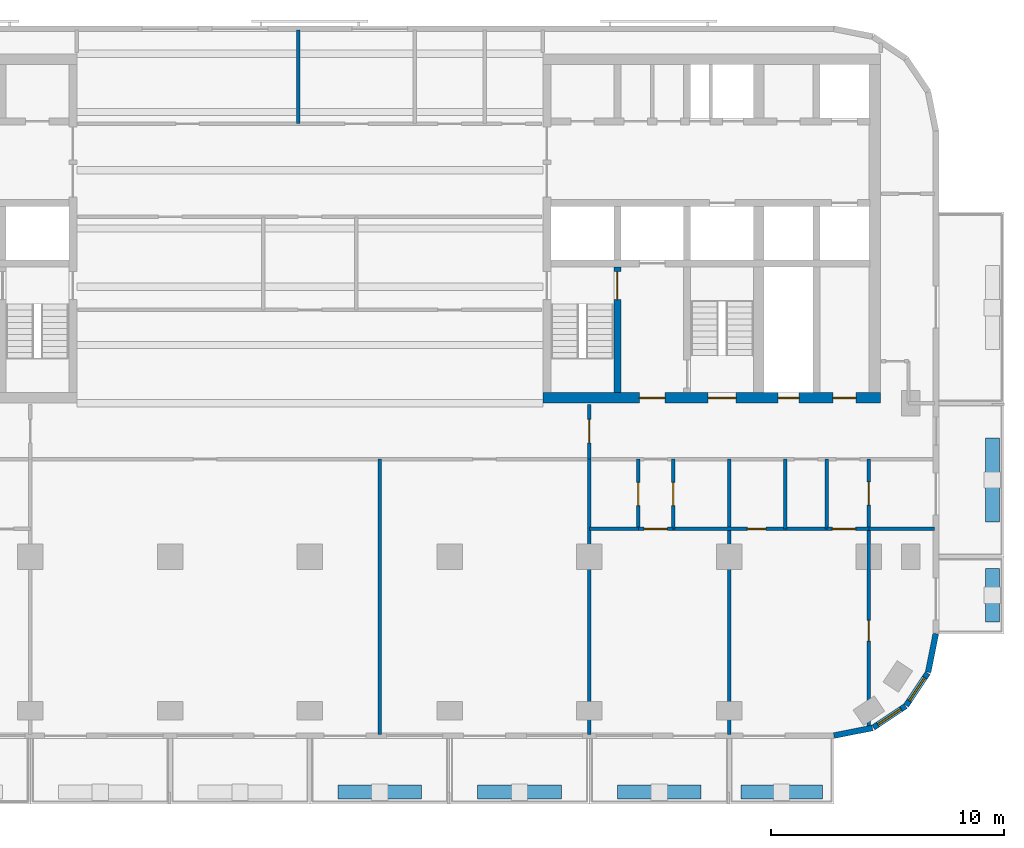
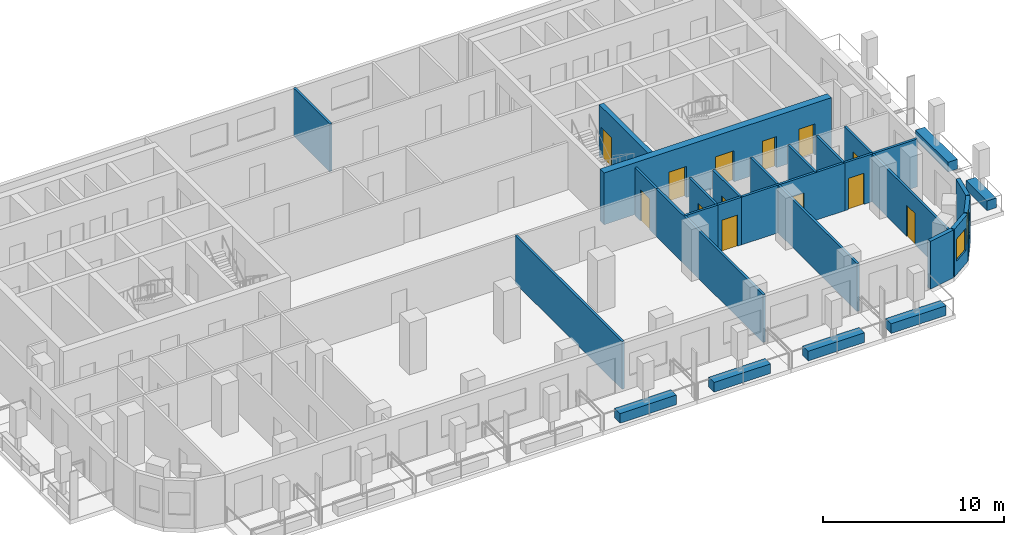
# One storey, part 5 of 11: 28 walls, 13 doors, 2 windows, 15 openings.
"""IFC4 building model written with IfcOpenShell, lengths in metres."""

from ifc_helpers import new_model, si_unit, direction, frame, frame_2d, origin, place, context, subcontext, project, spatial, rectangle, extrude, material, layer, layer_set, type_object, element, fill, save


model = new_model("IFC4")

# Units and contexts
model_context = context("Model", 3, precision=1e-05, world=origin(), true_north=direction((0.0, 1.0)))
body_context = subcontext(model_context, "Body", "Model", "MODEL_VIEW")
ifc_project = project(units=[si_unit("LENGTHUNIT", "METRE"), si_unit("AREAUNIT", "SQUARE_METRE"), si_unit("VOLUMEUNIT", "CUBIC_METRE"), si_unit("PLANEANGLEUNIT", "RADIAN"), si_unit("MASSUNIT", "GRAM", prefix="KILO")], contexts=[model_context])

# Site, building, storey
site_placement = place(None, origin())
site = spatial("IfcSite", under=ifc_project, at=site_placement, CompositionType="ELEMENT")
building_placement = place(site_placement, origin())
building = spatial("IfcBuilding", under=site, at=building_placement, Name="Torana Hotel and Residences", CompositionType="ELEMENT")
storey_placement = place(building_placement, frame((0.0, 0.0, 208.10009765625)))
storey = spatial("IfcBuildingStorey", under=building, at=storey_placement, Name="L54", CompositionType="ELEMENT", Elevation=208.10009765625)

# Wall, opening, door
ifc_material_1 = material(Name="Concrete C70/85", Category="concrete")
ifc_layer_1 = layer(ifc_material_1, 0.300048828125)
ifc_layer_set_1 = layer_set([ifc_layer_1], Name="CORE WALL 300 C70/85")
wall_type_1 = type_object("IfcWallType", Name="CORE WALL 300 C70/85", PredefinedType="SHEAR", material=ifc_layer_set_1)
wall_1_placement = place(storey_placement, frame((13.199951171875, -14.550048828125, 0.0), z_axis=(0.0, 0.0, 1.0), x_axis=(0.0, 1.0, 0.0)))
wall_1 = element("IfcWall", 1, at=wall_1_placement, inside=storey, type_object=wall_type_1, Name="Core wall E x3.05-band", PredefinedType="SHEAR", context=body_context, shape_type="SweptSolid", body=[
    extrude(rectangle(XDim=5.400146484375, YDim=0.300048828125, at=frame_2d((2.7001953125, 0.0))), origin(), (0.0, 0.0, 1.0), 3.5),
])
opening_1_placement = place(wall_1_placement, frame((4.0, 0.0, 0.0)))
opening_1 = element("IfcOpeningElement", 2, at=opening_1_placement, cuts=wall_1, Name="Opening L54-29", PredefinedType="OPENING", context=body_context, shape_type="SweptSolid", body=[
    extrude(rectangle(XDim=1.199951171875, YDim=2.10009765625, at=frame_2d((0.60009765625, 1.050048828125))), frame((0.0, 0.159912109375, 0.0), z_axis=(0.0, -1.0, 0.0), x_axis=(1.0, 0.0, 0.0)), (0.0, 0.0, 1.0), 0.320068359375),
])
ifc_material_2 = material(Name="Steel S235", Category="steel")
door_type_1 = type_object("IfcDoorType", Name="STAIR FIRE DOOR D3 1200x2100", OperationType="SINGLE_SWING_LEFT", PredefinedType="DOOR", material=ifc_material_2)
door_1_placement = place(opening_1_placement, origin())
door_1 = element("IfcDoor", 3, at=door_1_placement, inside=storey, type_object=door_type_1, Name="Stair-A-lobby door L54", OperationType="SINGLE_SWING_LEFT", OverallHeight=2.10009765625, OverallWidth=1.199951171875, PredefinedType="DOOR", context=body_context, shape_type="SweptSolid", body=[
    extrude(rectangle(XDim=1.199951171875, YDim=2.10009765625, at=frame_2d((0.60009765625, 1.050048828125))), frame((0.0, 0.02490234375, 0.0), z_axis=(0.0, -1.0, 0.0), x_axis=(1.0, 0.0, 0.0)), (0.0, 0.0, 1.0), 0.050048828125),
])
fill(opening_1, door_1)

# Wall, openings, doors
ifc_material_3 = material(Name="Concrete C70/85", Category="concrete")
ifc_layer_2 = layer(ifc_material_3, 0.449951171875)
ifc_layer_set_2 = layer_set([ifc_layer_2], Name="CORE WALL 450 C70/85")
wall_type_2 = type_object("IfcWallType", Name="CORE WALL 450 C70/85", PredefinedType="SHEAR", material=ifc_layer_set_2)
wall_2_placement = place(storey_placement, frame((10.0, -14.77490234375, 0.0), z_axis=(0.0, 0.0, 1.0), x_axis=(1.0, 0.0, 0.0)))
wall_2 = element("IfcWall", 4, at=wall_2_placement, inside=storey, type_object=wall_type_2, Name="Core wall E front", PredefinedType="SHEAR", context=body_context, shape_type="SweptSolid", body=[
    extrude(rectangle(XDim=14.5, YDim=0.449951171875, at=frame_2d((7.25, 0.0))), origin(), (0.0, 0.0, 1.0), 3.5),
])
opening_2_placement = place(wall_2_placement, frame((7.10009765625, 0.0, 0.0)))
opening_2 = element("IfcOpeningElement", 5, at=opening_2_placement, cuts=wall_2, Name="Opening L54-19", PredefinedType="OPENING", context=body_context, shape_type="SweptSolid", body=[
    extrude(rectangle(XDim=1.199951171875, YDim=2.10009765625, at=frame_2d((0.60009765625, 1.050048828125))), frame((0.0, 0.23486328125, 0.0), z_axis=(0.0, -1.0, 0.0), x_axis=(1.0, 0.0, 0.0)), (0.0, 0.0, 1.0), 0.469970703125),
])
opening_3_placement = place(wall_2_placement, frame((4.14990234375, 0.0, 0.0)))
opening_3 = element("IfcOpeningElement", 6, at=opening_3_placement, cuts=wall_2, Name="Opening L54-20", PredefinedType="OPENING", context=body_context, shape_type="SweptSolid", body=[
    extrude(rectangle(XDim=1.10009765625, YDim=2.10009765625, at=frame_2d((0.550048828125, 1.050048828125))), frame((0.0, 0.23486328125, 0.0), z_axis=(0.0, -1.0, 0.0), x_axis=(1.0, 0.0, 0.0)), (0.0, 0.0, 1.0), 0.469970703125),
])
opening_4_placement = place(wall_2_placement, frame((10.10009765625, 0.0, 0.0)))
opening_4 = element("IfcOpeningElement", 7, at=opening_4_placement, cuts=wall_2, Name="Opening L54-21", PredefinedType="OPENING", context=body_context, shape_type="SweptSolid", body=[
    extrude(rectangle(XDim=0.89990234375, YDim=2.10009765625, at=frame_2d((0.449951171875, 1.050048828125))), frame((0.0, 0.23486328125, 0.0), z_axis=(0.0, -1.0, 0.0), x_axis=(1.0, 0.0, 0.0)), (0.0, 0.0, 1.0), 0.469970703125),
])
opening_5_placement = place(wall_2_placement, frame((12.449951171875, 0.0, 0.0)))
opening_5 = element("IfcOpeningElement", 8, at=opening_5_placement, cuts=wall_2, Name="Opening L54-22", PredefinedType="OPENING", context=body_context, shape_type="SweptSolid", body=[
    extrude(rectangle(XDim=1.0, YDim=2.10009765625, at=frame_2d((0.5, 1.050048828125))), frame((0.0, 0.23486328125, 0.0), z_axis=(0.0, -1.0, 0.0), x_axis=(1.0, 0.0, 0.0)), (0.0, 0.0, 1.0), 0.469970703125),
])
ifc_material_4 = material(Name="Steel S235", Category="steel")
door_type_2 = type_object("IfcDoorType", Name="CORE ROOM FIRE DOOR D14 1000x2100", OperationType="SINGLE_SWING_LEFT", PredefinedType="DOOR", material=ifc_material_4)
door_2_placement = place(opening_5_placement, origin())
door_2 = element("IfcDoor", 9, at=door_2_placement, inside=storey, type_object=door_type_2, Name="M-Room door L54", OperationType="SINGLE_SWING_RIGHT", OverallHeight=2.10009765625, OverallWidth=1.0, PredefinedType="DOOR", context=body_context, shape_type="SweptSolid", body=[
    extrude(rectangle(XDim=1.0, YDim=2.10009765625, at=frame_2d((0.5, 1.050048828125))), frame((0.0, 0.02490234375, 0.0), z_axis=(0.0, -1.0, 0.0), x_axis=(1.0, 0.0, 0.0)), (0.0, 0.0, 1.0), 0.050048828125),
])
fill(opening_5, door_2)
ifc_material_5 = material(Name="Steel S235", Category="steel")
door_type_3 = type_object("IfcDoorType", Name="FIRE-FIGHTING LOBBY DOOR D8 1100x2100", OperationType="SINGLE_SWING_LEFT", PredefinedType="DOOR", material=ifc_material_5)
door_3_placement = place(opening_3_placement, origin())
door_3 = element("IfcDoor", 10, at=door_3_placement, inside=storey, type_object=door_type_3, Name="FF-lobby door L54", OperationType="SINGLE_SWING_RIGHT", OverallHeight=2.10009765625, OverallWidth=1.10009765625, PredefinedType="DOOR", context=body_context, shape_type="SweptSolid", body=[
    extrude(rectangle(XDim=1.10009765625, YDim=2.10009765625, at=frame_2d((0.550048828125, 1.050048828125))), frame((0.0, 0.02490234375, 0.0), z_axis=(0.0, -1.0, 0.0), x_axis=(1.0, 0.0, 0.0)), (0.0, 0.0, 1.0), 0.050048828125),
])
fill(opening_3, door_3)
ifc_material_6 = material(Name="Steel S235", Category="steel")
door_type_4 = type_object("IfcDoorType", Name="RISER ACCESS DOOR D5 900x2100", OperationType="SINGLE_SWING_LEFT", PredefinedType="DOOR", material=ifc_material_6)
door_4_placement = place(opening_4_placement, origin())
door_4 = element("IfcDoor", 11, at=door_4_placement, inside=storey, type_object=door_type_4, Name="M-Riser door L54", OperationType="SINGLE_SWING_RIGHT", OverallHeight=2.10009765625, OverallWidth=0.89990234375, PredefinedType="DOOR", context=body_context, shape_type="SweptSolid", body=[
    extrude(rectangle(XDim=0.89990234375, YDim=2.10009765625, at=frame_2d((0.449951171875, 1.050048828125))), frame((0.0, 0.02490234375, 0.0), z_axis=(0.0, -1.0, 0.0), x_axis=(1.0, 0.0, 0.0)), (0.0, 0.0, 1.0), 0.050048828125),
])
fill(opening_4, door_4)
door_5_placement = place(opening_2_placement, origin())
door_5 = element("IfcDoor", 12, at=door_5_placement, inside=storey, type_object=door_type_1, Name="Stair-B door L54", OperationType="SINGLE_SWING_RIGHT", OverallHeight=2.10009765625, OverallWidth=1.199951171875, PredefinedType="DOOR", context=body_context, shape_type="SweptSolid", body=[
    extrude(rectangle(XDim=1.199951171875, YDim=2.10009765625, at=frame_2d((0.60009765625, 1.050048828125))), frame((0.0, 0.02490234375, 0.0), z_axis=(0.0, -1.0, 0.0), x_axis=(1.0, 0.0, 0.0)), (0.0, 0.0, 1.0), 0.050048828125),
])
fill(opening_2, door_5)

# Wall
ifc_material_7 = material(Name="Black aluminium composite panel", Category="aluminium")
ifc_layer_3 = layer(ifc_material_7, 0.00390625, Name="Cladding", Category="cladding")
ifc_material_8 = material(Name="Ventilated air cavity")
ifc_layer_4 = layer(ifc_material_8, 0.0400390625, Name="Ventilated cavity", Category="cavity")
ifc_material_9 = material(Name="Mineral wool insulation")
ifc_layer_5 = layer(ifc_material_9, 0.090087890625, Name="Insulation", Category="insulation")
ifc_material_10 = material(Name="Steel S280GD", Category="steel")
ifc_layer_6 = layer(ifc_material_10, 0.092041015625, Name="Steel stud frame", Category="structure")
ifc_material_11 = material(Name="Fire rated plasterboard")
ifc_layer_7 = layer(ifc_material_11, 0.011962890625, Name="Inner board", Category="finish")
ifc_layer_8 = layer(ifc_material_11, 0.011962890625, Name="Second board", Category="finish")
ifc_layer_set_3 = layer_set([ifc_layer_3, ifc_layer_4, ifc_layer_5, ifc_layer_6, ifc_layer_7, ifc_layer_8], Name="EW1 EXTERNAL WALL BLACK METAL CLAD 250")
wall_type_3 = type_object("IfcWallType", Name="EW1 EXTERNAL WALL BLACK METAL CLAD 250", PredefinedType="SOLIDWALL", material=ifc_layer_set_3)
wall_3_placement = place(storey_placement, frame((22.499755859375, -29.272705078125, 0.0), z_axis=(0.0, 0.0, 1.0), x_axis=(0.980775640221, 0.19513878023, 0.0)))
element("IfcWall", 13, at=wall_3_placement, inside=storey, type_object=wall_type_3, Name="External wall L54 e0.15", PredefinedType="SOLIDWALL", context=body_context, shape_type="SweptSolid", body=[
    extrude(rectangle(XDim=1.681396484375, YDim=0.25, at=frame_2d((0.8408203125, 0.0))), origin(), (0.0, 0.0, 1.0), 3.219970703125),
])

# Wall, opening, window
wall_4_placement = place(storey_placement, frame((24.194091796875, -28.92578125, 0.0), z_axis=(0.0, 0.0, 1.0), x_axis=(0.831482937015, 0.55555029066, 0.0)))
wall_4 = element("IfcWall", 14, at=wall_4_placement, inside=storey, type_object=wall_type_3, Name="External wall L54 e0.16", PredefinedType="SOLIDWALL", context=body_context, shape_type="SweptSolid", body=[
    extrude(rectangle(XDim=1.65625, YDim=0.25, at=frame_2d((0.828125, 0.0))), origin(), (0.0, 0.0, 1.0), 3.219970703125),
])
opening_6_placement = place(wall_4_placement, frame((0.228271484375, 0.0, 0.89990234375)))
opening_6 = element("IfcOpeningElement", 15, at=opening_6_placement, cuts=wall_4, Name="Opening W5", PredefinedType="OPENING", context=body_context, shape_type="SweptSolid", body=[
    extrude(rectangle(XDim=1.199951171875, YDim=1.5, at=frame_2d((0.60009765625, 0.75))), frame((0.0, 0.135009765625, 0.0), z_axis=(0.0, -1.0, 0.0), x_axis=(1.0, 0.0, 0.0)), (0.0, 0.0, 1.0), 0.27001953125),
])
ifc_material_12 = material(Name="Dark glass in black aluminium frame", Category="aluminium")
window_type = type_object("IfcWindowType", Name="W5 CORNER FACET WINDOW 1200x1500", PartitioningType="SINGLE_PANEL", PredefinedType="WINDOW", material=ifc_material_12)
window_1_placement = place(opening_6_placement, origin())
window_1 = element("IfcWindow", 16, at=window_1_placement, inside=storey, type_object=window_type, Name="Window L54 e0.16", OverallHeight=1.5, OverallWidth=1.199951171875, PartitioningType="SINGLE_PANEL", PredefinedType="WINDOW", context=body_context, shape_type="SweptSolid", body=[
    extrude(rectangle(XDim=1.199951171875, YDim=1.5, at=frame_2d((0.60009765625, 0.75))), frame((0.0, 0.030029296875, 0.0), z_axis=(0.0, -1.0, 0.0), x_axis=(1.0, 0.0, 0.0)), (0.0, 0.0, 1.0), 0.06005859375),
])
fill(opening_6, window_1)

wall_5_placement = place(storey_placement, frame((25.605712890625, -27.97119140625, 0.0), z_axis=(0.0, 0.0, 1.0), x_axis=(0.55555029066, 0.831482937015, 0.0)))
wall_5 = element("IfcWall", 17, at=wall_5_placement, inside=storey, type_object=wall_type_3, Name="External wall L54 e0.17", PredefinedType="SOLIDWALL", context=body_context, shape_type="SweptSolid", body=[
    extrude(rectangle(XDim=1.65625, YDim=0.25, at=frame_2d((0.828125, 0.0))), origin(), (0.0, 0.0, 1.0), 3.219970703125),
])
opening_7_placement = place(wall_5_placement, frame((0.228271484375, 0.0, 0.89990234375)))
opening_7 = element("IfcOpeningElement", 18, at=opening_7_placement, cuts=wall_5, Name="Opening W5", PredefinedType="OPENING", context=body_context, shape_type="SweptSolid", body=[
    extrude(rectangle(XDim=1.199951171875, YDim=1.5, at=frame_2d((0.60009765625, 0.75))), frame((0.0, 0.135009765625, 0.0), z_axis=(0.0, -1.0, 0.0), x_axis=(1.0, 0.0, 0.0)), (0.0, 0.0, 1.0), 0.27001953125),
])
window_2_placement = place(opening_7_placement, origin())
window_2 = element("IfcWindow", 19, at=window_2_placement, inside=storey, type_object=window_type, Name="Window L54 e0.17", OverallHeight=1.5, OverallWidth=1.199951171875, PartitioningType="SINGLE_PANEL", PredefinedType="WINDOW", context=body_context, shape_type="SweptSolid", body=[
    extrude(rectangle(XDim=1.199951171875, YDim=1.5, at=frame_2d((0.60009765625, 0.75))), frame((0.0, 0.030029296875, 0.0), z_axis=(0.0, -1.0, 0.0), x_axis=(1.0, 0.0, 0.0)), (0.0, 0.0, 1.0), 0.06005859375),
])
fill(opening_7, window_2)

# Wall
wall_6_placement = place(storey_placement, frame((26.544677734375, -26.548828125, 0.0), z_axis=(0.0, 0.0, 1.0), x_axis=(0.195026884138, 0.980797896849, 0.0)))
element("IfcWall", 20, at=wall_6_placement, inside=storey, type_object=wall_type_3, Name="External wall L54 e0.18", PredefinedType="SOLIDWALL", context=body_context, shape_type="SweptSolid", body=[
    extrude(rectangle(XDim=1.68115234375, YDim=0.25, at=frame_2d((0.840576171875, 0.0))), origin(), (0.0, 0.0, 1.0), 3.219970703125),
])

# Wall, opening, door
ifc_material_13 = material(Name="Gypsum plaster")
ifc_layer_9 = layer(ifc_material_13, 0.014892578125, Name="Plaster", Category="finish")
ifc_material_14 = material(Name="Concrete blockwork", Category="masonry")
ifc_layer_10 = layer(ifc_material_14, 0.1201171875, Name="Blockwork", Category="structure")
ifc_layer_11 = layer(ifc_material_13, 0.014892578125, Name="Plaster", Category="finish")
ifc_layer_set_4 = layer_set([ifc_layer_9, ifc_layer_10, ifc_layer_11], Name="FIRE PARTITION 150 BLOCKWORK")
wall_type_4 = type_object("IfcWallType", Name="FIRE PARTITION 150 BLOCKWORK", PredefinedType="PARTITIONING", material=ifc_layer_set_4)
wall_7_placement = place(storey_placement, frame((24.0, -20.39990234375, 0.0), z_axis=(0.0, 0.0, 1.0), x_axis=(0.0, 1.0, 0.0)))
wall_7 = element("IfcWall", 21, at=wall_7_placement, inside=storey, type_object=wall_type_4, Name="Partition L54", PredefinedType="PARTITIONING", context=body_context, shape_type="SweptSolid", body=[
    extrude(rectangle(XDim=3.0, YDim=0.14990234375, at=frame_2d((1.5, 0.0))), origin(), (0.0, 0.0, 1.0), 3.219970703125),
])
opening_8_placement = place(wall_7_placement, frame((1.02001953125, 0.0, 0.0)))
opening_8 = element("IfcOpeningElement", 22, at=opening_8_placement, cuts=wall_7, Name="Opening L54-61", PredefinedType="OPENING", context=body_context, shape_type="SweptSolid", body=[
    extrude(rectangle(XDim=1.0, YDim=2.10009765625, at=frame_2d((0.5, 1.050048828125))), frame((0.0, 0.0849609375, 0.0), z_axis=(0.0, -1.0, 0.0), x_axis=(1.0, 0.0, 0.0)), (0.0, 0.0, 1.0), 0.169921875),
])
ifc_material_15 = material(Name="Steel S235", Category="steel")
door_type_5 = type_object("IfcDoorType", Name="ENTRY FIRE DOOR D6 1000x2100", OperationType="SINGLE_SWING_LEFT", PredefinedType="DOOR", material=ifc_material_15)
door_6_placement = place(opening_8_placement, frame((0.5, 0.0, 0.0), z_axis=(0.0, 0.0, 1.0), x_axis=(-1.0, 0.0, 0.0)))
door_6 = element("IfcDoor", 23, at=door_6_placement, inside=storey, type_object=door_type_5, Name="Door L54", OperationType="SINGLE_SWING_LEFT", OverallHeight=2.10009765625, OverallWidth=1.0, PredefinedType="DOOR", context=body_context, shape_type="SweptSolid", body=[
    extrude(rectangle(XDim=1.0, YDim=2.10009765625, at=frame_2d((0.0, 1.050048828125))), frame((0.0, -0.02490234375, 0.0), z_axis=(0.0, 1.0, 0.0), x_axis=(-1.0, 0.0, 0.0)), (0.0, 0.0, 1.0), 0.050048828125),
])
fill(opening_8, door_6)

# Wall
wall_8_placement = place(storey_placement, frame((22.199951171875, -20.39990234375, 0.0), z_axis=(0.0, 0.0, 1.0), x_axis=(0.0, 1.0, 0.0)))
element("IfcWall", 24, at=wall_8_placement, inside=storey, type_object=wall_type_4, Name="Partition L54", PredefinedType="PARTITIONING", context=body_context, shape_type="SweptSolid", body=[
    extrude(rectangle(XDim=3.0, YDim=0.14990234375, at=frame_2d((1.5, 0.0))), origin(), (0.0, 0.0, 1.0), 3.219970703125),
])

# Wall, opening, door
wall_9_placement = place(storey_placement, frame((15.60009765625, -20.39990234375, 0.0), z_axis=(0.0, 0.0, 1.0), x_axis=(0.0, 1.0, 0.0)))
wall_9 = element("IfcWall", 25, at=wall_9_placement, inside=storey, type_object=wall_type_4, Name="Partition L54", PredefinedType="PARTITIONING", context=body_context, shape_type="SweptSolid", body=[
    extrude(rectangle(XDim=3.0, YDim=0.14990234375, at=frame_2d((1.5, 0.0))), origin(), (0.0, 0.0, 1.0), 3.219970703125),
])
opening_9_placement = place(wall_9_placement, frame((1.0, 0.0, 0.0)))
opening_9 = element("IfcOpeningElement", 26, at=opening_9_placement, cuts=wall_9, Name="Opening L54-51", PredefinedType="OPENING", context=body_context, shape_type="SweptSolid", body=[
    extrude(rectangle(XDim=1.0, YDim=2.10009765625, at=frame_2d((0.5, 1.050048828125))), frame((0.0, 0.0849609375, 0.0), z_axis=(0.0, -1.0, 0.0), x_axis=(1.0, 0.0, 0.0)), (0.0, 0.0, 1.0), 0.169921875),
])
door_7_placement = place(opening_9_placement, frame((0.5, 0.0, 0.0), z_axis=(0.0, 0.0, 1.0), x_axis=(-1.0, 0.0, 0.0)))
door_7 = element("IfcDoor", 27, at=door_7_placement, inside=storey, type_object=door_type_5, Name="Door L54", OperationType="SINGLE_SWING_LEFT", OverallHeight=2.10009765625, OverallWidth=1.0, PredefinedType="DOOR", context=body_context, shape_type="SweptSolid", body=[
    extrude(rectangle(XDim=1.0, YDim=2.10009765625, at=frame_2d((0.0, 1.050048828125))), frame((0.0, -0.02490234375, 0.0), z_axis=(0.0, 1.0, 0.0), x_axis=(-1.0, 0.0, 0.0)), (0.0, 0.0, 1.0), 0.050048828125),
])
fill(opening_9, door_7)

wall_10_placement = place(storey_placement, frame((14.10009765625, -20.39990234375, 0.0), z_axis=(0.0, 0.0, 1.0), x_axis=(0.0, 1.0, 0.0)))
wall_10 = element("IfcWall", 28, at=wall_10_placement, inside=storey, type_object=wall_type_4, Name="Partition L54", PredefinedType="PARTITIONING", context=body_context, shape_type="SweptSolid", body=[
    extrude(rectangle(XDim=3.0, YDim=0.14990234375, at=frame_2d((1.5, 0.0))), origin(), (0.0, 0.0, 1.0), 3.219970703125),
])
opening_10_placement = place(wall_10_placement, frame((1.0, 0.0, 0.0)))
opening_10 = element("IfcOpeningElement", 29, at=opening_10_placement, cuts=wall_10, Name="Opening L54-50", PredefinedType="OPENING", context=body_context, shape_type="SweptSolid", body=[
    extrude(rectangle(XDim=1.0, YDim=2.10009765625, at=frame_2d((0.5, 1.050048828125))), frame((0.0, 0.0849609375, 0.0), z_axis=(0.0, -1.0, 0.0), x_axis=(1.0, 0.0, 0.0)), (0.0, 0.0, 1.0), 0.169921875),
])
door_8_placement = place(opening_10_placement, origin())
door_8 = element("IfcDoor", 30, at=door_8_placement, inside=storey, type_object=door_type_5, Name="Door L54", OperationType="SINGLE_SWING_RIGHT", OverallHeight=2.10009765625, OverallWidth=1.0, PredefinedType="DOOR", context=body_context, shape_type="SweptSolid", body=[
    extrude(rectangle(XDim=1.0, YDim=2.10009765625, at=frame_2d((0.5, 1.050048828125))), frame((0.0, 0.02490234375, 0.0), z_axis=(0.0, -1.0, 0.0), x_axis=(1.0, 0.0, 0.0)), (0.0, 0.0, 1.0), 0.050048828125),
])
fill(opening_10, door_8)

wall_11_placement = place(storey_placement, frame((12.0, -17.39990234375, 0.0), z_axis=(0.0, 0.0, 1.0), x_axis=(0.0, 1.0, 0.0)))
wall_11 = element("IfcWall", 31, at=wall_11_placement, inside=storey, type_object=wall_type_4, Name="Partition L54", PredefinedType="PARTITIONING", context=body_context, shape_type="SweptSolid", body=[
    extrude(rectangle(XDim=2.349853515625, YDim=0.14990234375, at=frame_2d((1.1748046875, 0.0))), origin(), (0.0, 0.0, 1.0), 3.219970703125),
])
opening_11_placement = place(wall_11_placement, frame((0.699951171875, 0.0, 0.0)))
opening_11 = element("IfcOpeningElement", 32, at=opening_11_placement, cuts=wall_11, Name="Opening L54-35", PredefinedType="OPENING", context=body_context, shape_type="SweptSolid", body=[
    extrude(rectangle(XDim=1.0, YDim=2.10009765625, at=frame_2d((0.5, 1.050048828125))), frame((0.0, 0.0849609375, 0.0), z_axis=(0.0, -1.0, 0.0), x_axis=(1.0, 0.0, 0.0)), (0.0, 0.0, 1.0), 0.169921875),
])
door_9_placement = place(opening_11_placement, origin())
door_9 = element("IfcDoor", 33, at=door_9_placement, inside=storey, type_object=door_type_5, Name="Door L54", OperationType="SINGLE_SWING_RIGHT", OverallHeight=2.10009765625, OverallWidth=1.0, PredefinedType="DOOR", context=body_context, shape_type="SweptSolid", body=[
    extrude(rectangle(XDim=1.0, YDim=2.10009765625, at=frame_2d((0.5, 1.050048828125))), frame((0.0, 0.02490234375, 0.0), z_axis=(0.0, -1.0, 0.0), x_axis=(1.0, 0.0, 0.0)), (0.0, 0.0, 1.0), 0.050048828125),
])
fill(opening_11, door_9)

wall_12_placement = place(storey_placement, frame((14.10009765625, -20.39990234375, 0.0), z_axis=(0.0, 0.0, 1.0), x_axis=(1.0, 0.0, 0.0)))
wall_12 = element("IfcWall", 34, at=wall_12_placement, inside=storey, type_object=wall_type_4, Name="Partition L54", PredefinedType="PARTITIONING", context=body_context, shape_type="SweptSolid", body=[
    extrude(rectangle(XDim=1.5, YDim=0.14990234375, at=frame_2d((0.75, 0.0))), origin(), (0.0, 0.0, 1.0), 3.219970703125),
])
opening_12_placement = place(wall_12_placement, frame((0.25, 0.0, 0.0)))
opening_12 = element("IfcOpeningElement", 35, at=opening_12_placement, cuts=wall_12, Name="Opening L54-52", PredefinedType="OPENING", context=body_context, shape_type="SweptSolid", body=[
    extrude(rectangle(XDim=1.0, YDim=2.10009765625, at=frame_2d((0.5, 1.050048828125))), frame((0.0, 0.0849609375, 0.0), z_axis=(0.0, -1.0, 0.0), x_axis=(1.0, 0.0, 0.0)), (0.0, 0.0, 1.0), 0.169921875),
])
door_10_placement = place(opening_12_placement, frame((0.5, 0.0, 0.0), z_axis=(0.0, 0.0, 1.0), x_axis=(-1.0, 0.0, 0.0)))
door_10 = element("IfcDoor", 36, at=door_10_placement, inside=storey, type_object=door_type_5, Name="Door L54", OperationType="SINGLE_SWING_LEFT", OverallHeight=2.10009765625, OverallWidth=1.0, PredefinedType="DOOR", context=body_context, shape_type="SweptSolid", body=[
    extrude(rectangle(XDim=1.0, YDim=2.10009765625, at=frame_2d((0.0, 1.050048828125))), frame((0.0, -0.02490234375, 0.0), z_axis=(0.0, 1.0, 0.0), x_axis=(-1.0, 0.0, 0.0)), (0.0, 0.0, 1.0), 0.050048828125),
])
fill(opening_12, door_10)

wall_13_placement = place(storey_placement, frame((22.199951171875, -20.39990234375, 0.0), z_axis=(0.0, 0.0, 1.0), x_axis=(1.0, 0.0, 0.0)))
wall_13 = element("IfcWall", 37, at=wall_13_placement, inside=storey, type_object=wall_type_4, Name="Partition L54", PredefinedType="PARTITIONING", context=body_context, shape_type="SweptSolid", body=[
    extrude(rectangle(XDim=1.800048828125, YDim=0.14990234375, at=frame_2d((0.89990234375, 0.0))), origin(), (0.0, 0.0, 1.0), 3.219970703125),
])
opening_13_placement = place(wall_13_placement, frame((0.22998046875, 0.0, 0.0)))
opening_13 = element("IfcOpeningElement", 38, at=opening_13_placement, cuts=wall_13, Name="Opening L54-62", PredefinedType="OPENING", context=body_context, shape_type="SweptSolid", body=[
    extrude(rectangle(XDim=1.0, YDim=2.10009765625, at=frame_2d((0.5, 1.050048828125))), frame((0.0, 0.0849609375, 0.0), z_axis=(0.0, -1.0, 0.0), x_axis=(1.0, 0.0, 0.0)), (0.0, 0.0, 1.0), 0.169921875),
])
door_11_placement = place(opening_13_placement, frame((0.5, 0.0, 0.0), z_axis=(0.0, 0.0, 1.0), x_axis=(-1.0, 0.0, 0.0)))
door_11 = element("IfcDoor", 39, at=door_11_placement, inside=storey, type_object=door_type_5, Name="Door L54", OperationType="SINGLE_SWING_RIGHT", OverallHeight=2.10009765625, OverallWidth=1.0, PredefinedType="DOOR", context=body_context, shape_type="SweptSolid", body=[
    extrude(rectangle(XDim=1.0, YDim=2.10009765625, at=frame_2d((0.0, 1.050048828125))), frame((0.0, -0.02490234375, 0.0), z_axis=(0.0, 1.0, 0.0), x_axis=(-1.0, 0.0, 0.0)), (0.0, 0.0, 1.0), 0.050048828125),
])
fill(opening_13, door_11)

ifc_material_16 = material(Name="Gypsum plasterboard")
ifc_layer_12 = layer(ifc_material_16, 0.012451171875, Name="Plasterboard", Category="finish")
ifc_layer_13 = layer(ifc_material_16, 0.012451171875, Name="Plasterboard", Category="finish")
ifc_layer_14 = layer(ifc_material_10, 0.10009765625, Name="Steel studs with mineral wool", Category="insulation")
ifc_layer_15 = layer(ifc_material_16, 0.012451171875, Name="Plasterboard", Category="finish")
ifc_layer_16 = layer(ifc_material_16, 0.012451171875, Name="Plasterboard", Category="finish")
ifc_layer_set_5 = layer_set([ifc_layer_12, ifc_layer_13, ifc_layer_14, ifc_layer_15, ifc_layer_16], Name="PARTITION 150 PLASTERBOARD")
wall_type_5 = type_object("IfcWallType", Name="PARTITION 150 PLASTERBOARD", PredefinedType="PARTITIONING", material=ifc_layer_set_5)
wall_14_placement = place(storey_placement, frame((24.0, -28.918212890625, 0.0), z_axis=(0.0, 0.0, 1.0), x_axis=(0.0, 1.0, 0.0)))
wall_14 = element("IfcWall", 40, at=wall_14_placement, inside=storey, type_object=wall_type_5, Name="Partition L54", PredefinedType="PARTITIONING", context=body_context, shape_type="SweptSolid", body=[
    extrude(rectangle(XDim=8.518310546875, YDim=0.14990234375, at=frame_2d((4.25927734375, 0.0))), origin(), (0.0, 0.0, 1.0), 3.219970703125),
])
opening_14_placement = place(wall_14_placement, frame((3.697998046875, 0.0, 0.0)))
opening_14 = element("IfcOpeningElement", 41, at=opening_14_placement, cuts=wall_14, Name="Opening L54-63", PredefinedType="OPENING", context=body_context, shape_type="SweptSolid", body=[
    extrude(rectangle(XDim=0.89990234375, YDim=2.10009765625, at=frame_2d((0.449951171875, 1.050048828125))), frame((0.0, 0.0849609375, 0.0), z_axis=(0.0, -1.0, 0.0), x_axis=(1.0, 0.0, 0.0)), (0.0, 0.0, 1.0), 0.169921875),
])
ifc_material_17 = material(Name="Timber door, oiled ash", Category="wood")
door_type_6 = type_object("IfcDoorType", Name="ROOM DOOR D7 900x2100", OperationType="SINGLE_SWING_LEFT", PredefinedType="DOOR", material=ifc_material_17)
door_12_placement = place(opening_14_placement, origin())
door_12 = element("IfcDoor", 42, at=door_12_placement, inside=storey, type_object=door_type_6, Name="Door L54", OperationType="SINGLE_SWING_RIGHT", OverallHeight=2.10009765625, OverallWidth=0.89990234375, PredefinedType="DOOR", context=body_context, shape_type="SweptSolid", body=[
    extrude(rectangle(XDim=0.89990234375, YDim=2.10009765625, at=frame_2d((0.449951171875, 1.050048828125))), frame((0.0, 0.02490234375, 0.0), z_axis=(0.0, -1.0, 0.0), x_axis=(1.0, 0.0, 0.0)), (0.0, 0.0, 1.0), 0.050048828125),
])
fill(opening_14, door_12)

# Walls
wall_15_placement = place(storey_placement, frame((20.39990234375, -20.39990234375, 0.0), z_axis=(0.0, 0.0, 1.0), x_axis=(0.0, 1.0, 0.0)))
element("IfcWall", 43, at=wall_15_placement, inside=storey, type_object=wall_type_5, Name="Partition L54", PredefinedType="PARTITIONING", context=body_context, shape_type="SweptSolid", body=[
    extrude(rectangle(XDim=3.0, YDim=0.14990234375, at=frame_2d((1.5, 0.0))), origin(), (0.0, 0.0, 1.0), 3.219970703125),
])
for number, where, z_axis, x_axis, name in (
    (44, (18.0, -29.219970703125, 0.0), (0.0, 0.0, 1.0), (0.0, 1.0, 0.0), "Partition L54"),
    (45, (12.0, -29.219970703125, 0.0), (0.0, 0.0, 1.0), (0.0, 1.0, 0.0), "Partition L54"),
    (46, (3.0, -29.219970703125, 0.0), (0.0, 0.0, 1.0), (0.0, 1.0, 0.0), "Partition L54"),
):
    element("IfcWall", number, at=place(storey_placement, frame(where, z_axis=z_axis, x_axis=x_axis)), inside=storey, type_object=wall_type_5, Name=name, PredefinedType="PARTITIONING", context=body_context, shape_type="SweptSolid", body=[
        extrude(rectangle(XDim=11.820068359375, YDim=0.14990234375, at=frame_2d((5.91015625, 0.0))), origin(), (0.0, 0.0, 1.0), 3.219970703125),
    ])
wall_16_placement = place(storey_placement, frame((-0.5, -3.0, 0.0), z_axis=(0.0, 0.0, 1.0), x_axis=(0.0, 1.0, 0.0)))
element("IfcWall", 47, at=wall_16_placement, inside=storey, type_object=wall_type_5, Name="Partition L54", PredefinedType="PARTITIONING", context=body_context, shape_type="SweptSolid", body=[
    extrude(rectangle(XDim=4.02001953125, YDim=0.14990234375, at=frame_2d((2.010009765625, 0.0))), origin(), (0.0, 0.0, 1.0), 3.219970703125),
])
wall_17_placement = place(storey_placement, frame((12.0, -20.39990234375, 0.0), z_axis=(0.0, 0.0, 1.0), x_axis=(1.0, 0.0, 0.0)))
element("IfcWall", 48, at=wall_17_placement, inside=storey, type_object=wall_type_5, Name="Partition L54", PredefinedType="PARTITIONING", context=body_context, shape_type="SweptSolid", body=[
    extrude(rectangle(XDim=2.10009765625, YDim=0.14990234375, at=frame_2d((1.050048828125, 0.0))), origin(), (0.0, 0.0, 1.0), 3.219970703125),
])

# Wall, opening, door
wall_18_placement = place(storey_placement, frame((15.60009765625, -20.39990234375, 0.0), z_axis=(0.0, 0.0, 1.0), x_axis=(1.0, 0.0, 0.0)))
wall_18 = element("IfcWall", 49, at=wall_18_placement, inside=storey, type_object=wall_type_5, Name="Partition L54", PredefinedType="PARTITIONING", context=body_context, shape_type="SweptSolid", body=[
    extrude(rectangle(XDim=6.599853515625, YDim=0.14990234375, at=frame_2d((3.2998046875, 0.0))), origin(), (0.0, 0.0, 1.0), 3.219970703125),
])
opening_15_placement = place(wall_18_placement, frame((3.179931640625, 0.0, 0.0)))
opening_15 = element("IfcOpeningElement", 50, at=opening_15_placement, cuts=wall_18, Name="Opening L54-60", PredefinedType="OPENING", context=body_context, shape_type="SweptSolid", body=[
    extrude(rectangle(XDim=0.800048828125, YDim=2.10009765625, at=frame_2d((0.39990234375, 1.050048828125))), frame((0.0, 0.0849609375, 0.0), z_axis=(0.0, -1.0, 0.0), x_axis=(1.0, 0.0, 0.0)), (0.0, 0.0, 1.0), 0.169921875),
])
ifc_material_18 = material(Name="Timber door, painted", Category="wood")
door_type_7 = type_object("IfcDoorType", Name="BATH DOOR D13 800x2100", OperationType="SINGLE_SWING_LEFT", PredefinedType="DOOR", material=ifc_material_18)
door_13_placement = place(opening_15_placement, origin())
door_13 = element("IfcDoor", 51, at=door_13_placement, inside=storey, type_object=door_type_7, Name="Door L54", OperationType="SINGLE_SWING_RIGHT", OverallHeight=2.10009765625, OverallWidth=0.800048828125, PredefinedType="DOOR", context=body_context, shape_type="SweptSolid", body=[
    extrude(rectangle(XDim=0.800048828125, YDim=2.10009765625, at=frame_2d((0.39990234375, 1.050048828125))), frame((0.0, 0.02490234375, 0.0), z_axis=(0.0, -1.0, 0.0), x_axis=(1.0, 0.0, 0.0)), (0.0, 0.0, 1.0), 0.050048828125),
])
fill(opening_15, door_13)

# Walls
wall_19_placement = place(storey_placement, frame((24.0, -20.39990234375, 0.0), z_axis=(0.0, 0.0, 1.0), x_axis=(1.0, 0.0, 0.0)))
element("IfcWall", 52, at=wall_19_placement, inside=storey, type_object=wall_type_5, Name="Partition L54", PredefinedType="PARTITIONING", context=body_context, shape_type="SweptSolid", body=[
    extrude(rectangle(XDim=2.820068359375, YDim=0.14990234375, at=frame_2d((1.41015625, 0.0))), origin(), (0.0, 0.0, 1.0), 3.219970703125),
])
ifc_material_19 = material(Name="Concrete C40/50 precast", Category="concrete")
ifc_layer_17 = layer(ifc_material_19, 0.10009765625, Name="Planter shell", Category="structure")
ifc_material_20 = material(Name="Root resistant membrane")
ifc_layer_18 = layer(ifc_material_20, 0.00390625, Name="Waterproofing membrane", Category="membrane")
ifc_material_21 = material(Name="Drainage board with filter fleece")
ifc_layer_19 = layer(ifc_material_21, 0.02001953125, Name="Drainage board", Category="drainage")
ifc_material_22 = material(Name="Growing medium")
ifc_layer_20 = layer(ifc_material_22, 0.47607421875, Name="Planting substrate", Category="soil")
ifc_layer_set_6 = layer_set([ifc_layer_17, ifc_layer_18, ifc_layer_19, ifc_layer_20], Name="PL1 BALCONY PLANTER 600")
wall_type_6 = type_object("IfcWallType", Name="PL1 BALCONY PLANTER 600", PredefinedType="USERDEFINED", material=ifc_layer_set_6)
for number, where, z_axis, x_axis, name in (
    (53, (4.800048828125, -31.699951171875, 0.0), (0.0, 0.0, 1.0), (-1.0, 0.0, 0.0), "Planter 05"),
    (54, (10.800048828125, -31.699951171875, 0.0), (0.0, 0.0, 1.0), (-1.0, 0.0, 0.0), "Planter 06"),
    (55, (16.800048828125, -31.699951171875, 0.0), (0.0, 0.0, 1.0), (-1.0, 0.0, 0.0), "Planter 07"),
):
    element("IfcWall", number, at=place(storey_placement, frame(where, z_axis=z_axis, x_axis=x_axis)), inside=storey, type_object=wall_type_6, Name=name, ObjectType="PLANTER", PredefinedType="USERDEFINED", context=body_context, shape_type="SweptSolid", body=[
        extrude(rectangle(XDim=3.60009765625, YDim=0.60009765625, at=frame_2d((1.800048828125, 0.0))), origin(), (0.0, 0.0, 1.0), 0.64990234375),
    ])
wall_20_placement = place(storey_placement, frame((22.0, -31.699951171875, 0.0), z_axis=(0.0, 0.0, 1.0), x_axis=(-1.0, 0.0, 0.0)))
element("IfcWall", 56, at=wall_20_placement, inside=storey, type_object=wall_type_6, Name="Planter 08", ObjectType="PLANTER", PredefinedType="USERDEFINED", context=body_context, shape_type="SweptSolid", body=[
    extrude(rectangle(XDim=3.5, YDim=0.60009765625, at=frame_2d((1.75, 0.0))), origin(), (0.0, 0.0, 1.0), 0.64990234375),
])
wall_21_placement = place(storey_placement, frame((29.300048828125, -22.10009765625, 0.0), z_axis=(0.0, 0.0, 1.0), x_axis=(0.0, -1.0, 0.0)))
element("IfcWall", 57, at=wall_21_placement, inside=storey, type_object=wall_type_6, Name="Planter 12", ObjectType="PLANTER", PredefinedType="USERDEFINED", context=body_context, shape_type="SweptSolid", body=[
    extrude(rectangle(XDim=2.2998046875, YDim=0.60009765625, at=frame_2d((1.14990234375, 0.0))), origin(), (0.0, 0.0, 1.0), 0.64990234375),
])
wall_22_placement = place(storey_placement, frame((29.300048828125, -16.5, 0.0), z_axis=(0.0, 0.0, 1.0), x_axis=(0.0, -1.0, 0.0)))
element("IfcWall", 58, at=wall_22_placement, inside=storey, type_object=wall_type_6, Name="Planter 13", ObjectType="PLANTER", PredefinedType="USERDEFINED", context=body_context, shape_type="SweptSolid", body=[
    extrude(rectangle(XDim=3.60009765625, YDim=0.60009765625, at=frame_2d((1.800048828125, 0.0))), origin(), (0.0, 0.0, 1.0), 0.64990234375),
])

save(model, "model.ifc")
